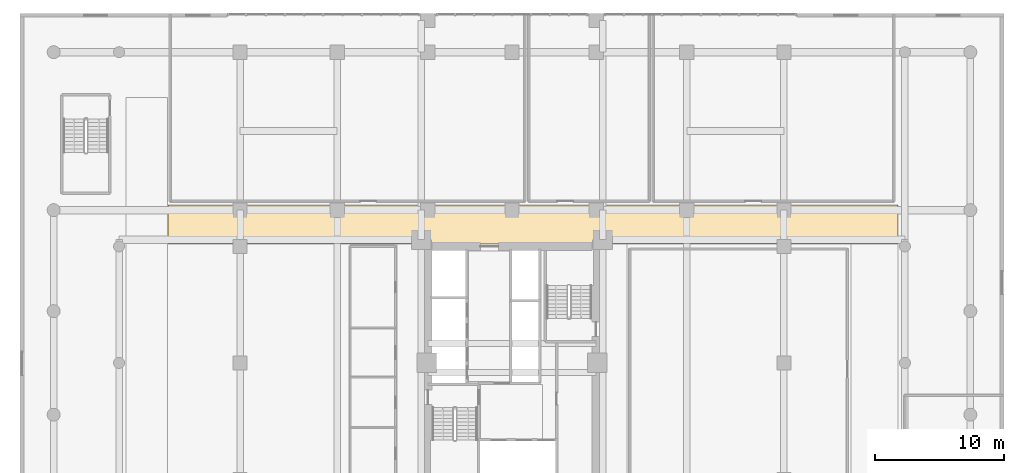
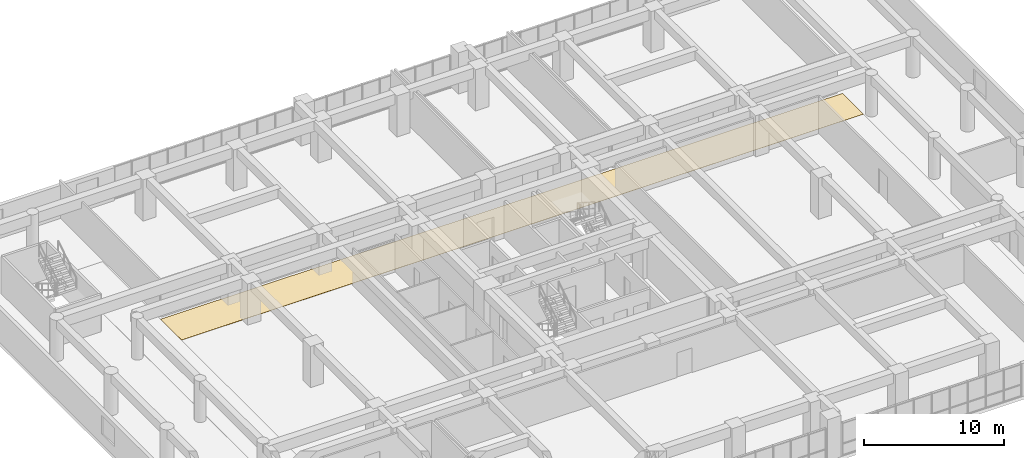
# One storey, part 28 of 30: 1 covering.
"""IFC4 building model written with IfcOpenShell, lengths in metres."""

from ifc_helpers import new_model, si_unit, direction, frame, origin, place, context, subcontext, project, spatial, polyline, outline, extrude, material, layer, layer_set, type_object, element, save


model = new_model("IFC4")

# Units and contexts
model_context = context("Model", 3, precision=1e-05, world=origin(), true_north=direction((0.0, 1.0)))
body_context = subcontext(model_context, "Body", "Model", "MODEL_VIEW")
ifc_project = project(units=[si_unit("LENGTHUNIT", "METRE"), si_unit("AREAUNIT", "SQUARE_METRE"), si_unit("VOLUMEUNIT", "CUBIC_METRE"), si_unit("PLANEANGLEUNIT", "RADIAN"), si_unit("MASSUNIT", "GRAM", prefix="KILO")], contexts=[model_context])

# Site, building, storey
site_placement = place(None, origin())
site = spatial("IfcSite", under=ifc_project, at=site_placement, CompositionType="ELEMENT")
building_placement = place(site_placement, origin())
building = spatial("IfcBuilding", under=site, at=building_placement, Name="Saelheon Loggia Tower", CompositionType="ELEMENT")
storey_placement = place(building_placement, frame((0.0, 0.0, 11.39990234375)))
storey = spatial("IfcBuildingStorey", under=building, at=storey_placement, Name="L03", CompositionType="ELEMENT", Elevation=11.39990234375)

# Covering
ifc_material = material(Name="Vitrified Porcelain Floor Tile", Category="ceramic")
ifc_layer = layer(ifc_material, 0.02001953125)
ifc_layer_set = layer_set([ifc_layer], Name="Vitrified Porcelain Floor Tile")
covering_type = type_object("IfcCoveringType", Name="Cov_Floor_Porcelain", PredefinedType="FLOORING", material=ifc_layer_set)
covering_placement = place(storey_placement, origin())
element("IfcCovering", 1, at=covering_placement, inside=storey, type_object=covering_type, Name="L03 Corridor Porcelain Flooring", PredefinedType="FLOORING", context=body_context, shape_type="SweptSolid", body=[
    extrude(outline(polyline([(11.419921875, 36.199951171875), (67.800048828125, 36.199951171875), (67.800048828125, 39.199951171875), (11.419921875, 39.199951171875), (11.419921875, 36.199951171875)])), origin(), (0.0, 0.0, 1.0), 0.02001953125),
])

save(model, "model.ifc")
